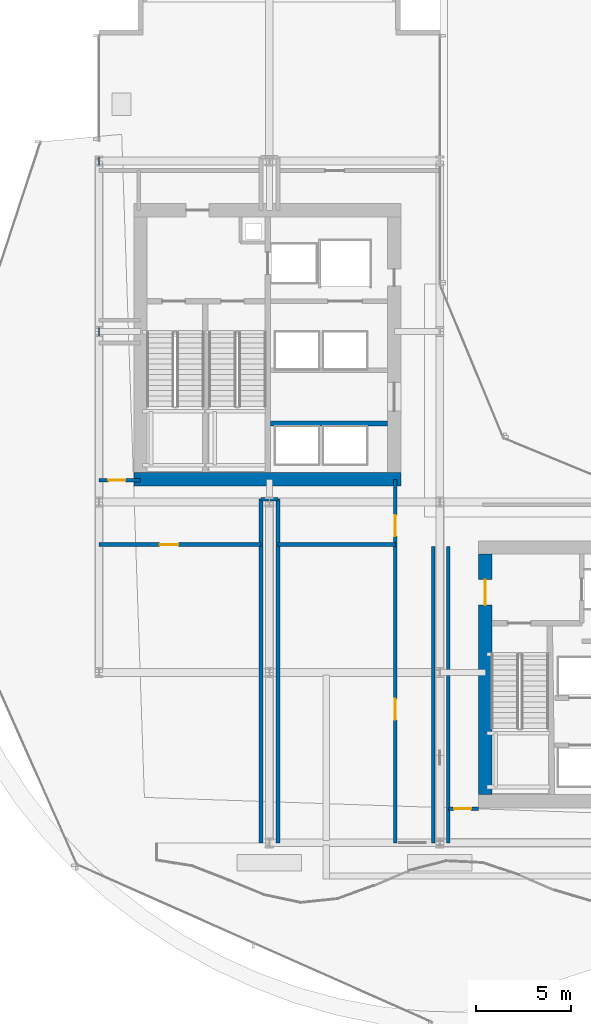
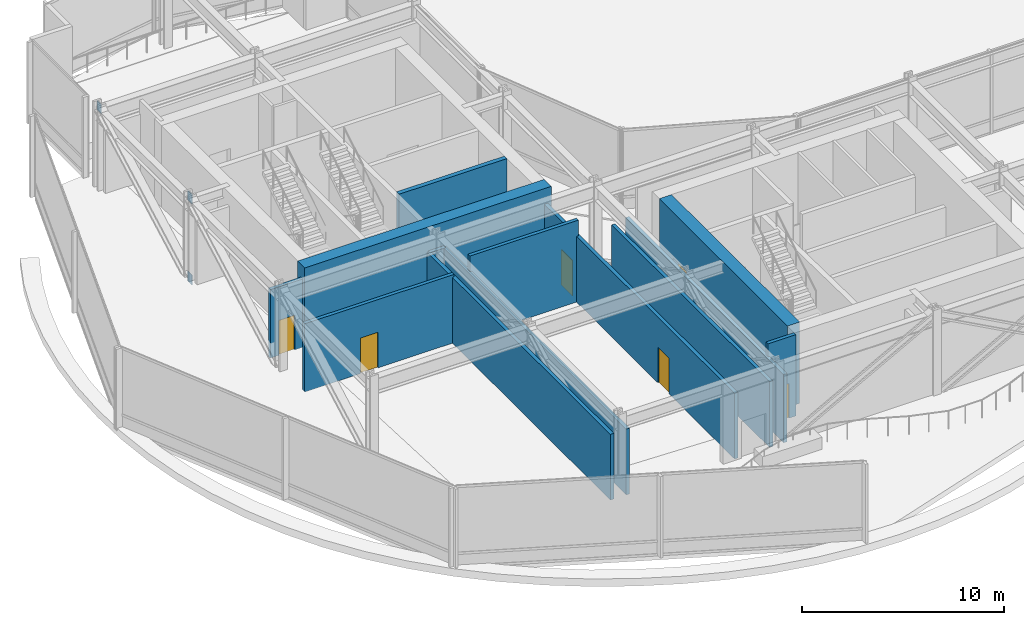
# One storey, part 28 of 37: 13 walls, 6 doors, 3 plates, 6 openings.
"""IFC4 building model written with IfcOpenShell, lengths in metres."""

from ifc_helpers import new_model, si_unit, direction, frame, frame_2d, origin, origin_2d, place, context, subcontext, project, spatial, rectangle, extrude, material, layer, layer_set, type_object, element, fill, save


model = new_model("IFC4")

# Units and contexts
model_context = context("Model", 3, precision=1e-05, world=origin(), true_north=direction((0.0, 1.0)))
body_context = subcontext(model_context, "Body", "Model", "MODEL_VIEW")
ifc_project = project(units=[si_unit("LENGTHUNIT", "METRE"), si_unit("AREAUNIT", "SQUARE_METRE"), si_unit("VOLUMEUNIT", "CUBIC_METRE"), si_unit("PLANEANGLEUNIT", "RADIAN"), si_unit("MASSUNIT", "GRAM", prefix="KILO")], contexts=[model_context])

# Site, building, storey
site_placement = place(None, origin())
site = spatial("IfcSite", under=ifc_project, at=site_placement, CompositionType="ELEMENT")
building_placement = place(site_placement, origin())
building = spatial("IfcBuilding", under=site, at=building_placement, Name="Solvaryn Broadcast Tower", CompositionType="ELEMENT")
storey_placement = place(building_placement, frame((0.0, 0.0, 30.800048828125)))
storey = spatial("IfcBuildingStorey", under=building, at=storey_placement, Name="L06", CompositionType="ELEMENT", Elevation=30.800048828125)

# Plates
ifc_material_1 = material(Name="Steel ASTM A572 Grade 50", Category="steel")
ifc_layer_1 = layer(ifc_material_1, 0.031982421875)
ifc_layer_set_1 = layer_set([ifc_layer_1], Name="PL-ENDCAP-32")
plate_type = type_object("IfcPlateType", Name="PL-ENDCAP-32", PredefinedType="USERDEFINED", material=ifc_layer_set_1)
for number, where, z_axis, x_axis, name in (
    (1, (9.0, 36.0, 4.60986328125), (0.0, 0.0, 1.0), (1.0, 0.0, 0.0), "L06 Transfer Belt Chord 11 End Plate B"),
    (2, (9.0, 36.0, -0.27001953125), (0.0, 0.0, 1.0), (1.0, 0.0, 0.0), "L06 Transfer Belt Chord 12 End Plate A"),
    (3, (9.0, 45.0, 4.60986328125), (0.0, 0.0, 1.0), (1.0, 0.0, 0.0), "L06 Transfer Belt Chord 12 End Plate B"),
):
    element("IfcPlate", number, at=place(storey_placement, frame(where, z_axis=z_axis, x_axis=x_axis)), inside=storey, type_object=plate_type, Name=name, ObjectType="FLANGE_PLATE", PredefinedType="USERDEFINED", context=body_context, shape_type="SweptSolid", body=[
        extrude(rectangle(XDim=0.031982421875, YDim=0.419921875, at=origin_2d()), origin(), (0.0, 0.0, 1.0), 0.580078125),
    ])

# Wall
ifc_material_2 = material(Name="Concrete f'c 70 MPa", Category="concrete")
ifc_layer_2 = layer(ifc_material_2, 0.699951171875)
ifc_layer_set_2 = layer_set([ifc_layer_2], Name="CW-SHEAR-700")
wall_type_1 = type_object("IfcWallType", Name="CW-SHEAR-700", PredefinedType="SHEAR", material=ifc_layer_set_2)
wall_1_placement = place(storey_placement, frame((10.85009765625, 28.199951171875, 0.0), z_axis=(0.0, 0.0, 1.0), x_axis=(1.0, 0.0, 0.0)))
element("IfcWall", 4, at=wall_1_placement, inside=storey, type_object=wall_type_1, Name="L06 West Core South Shear Wall", PredefinedType="SHEAR", context=body_context, shape_type="SweptSolid", body=[
    extrude(rectangle(XDim=14.099853515625, YDim=0.699951171875, at=frame_2d((7.0498046875, 0.0))), origin(), (0.0, 0.0, 1.0), 4.919921875),
])

# Wall, opening, door
wall_2_placement = place(storey_placement, frame((29.39990234375, 24.25, 0.0), z_axis=(0.0, 0.0, 1.0), x_axis=(0.0, -1.0, 0.0)))
wall_2 = element("IfcWall", 5, at=wall_2_placement, inside=storey, type_object=wall_type_1, Name="L06 East Core West Shear Wall", PredefinedType="SHEAR", context=body_context, shape_type="SweptSolid", body=[
    extrude(rectangle(XDim=12.699951171875, YDim=0.699951171875, at=frame_2d((6.35009765625, 0.0))), origin(), (0.0, 0.0, 1.0), 4.919921875),
])
opening_1_placement = place(wall_2_placement, frame((1.35009765625, 0.0, 0.0)))
opening_1 = element("IfcOpeningElement", 6, at=opening_1_placement, cuts=wall_2, Name="Opening FD90B", PredefinedType="OPENING", context=body_context, shape_type="SweptSolid", body=[
    extrude(rectangle(XDim=1.35009765625, YDim=2.14990234375, at=frame_2d((0.675048828125, 1.074951171875))), frame((0.0, 0.360107421875, 0.0), z_axis=(0.0, -1.0, 0.0), x_axis=(1.0, 0.0, 0.0)), (0.0, 0.0, 1.0), 0.719970703125),
])
ifc_material_3 = material(Name="Flush Acoustic Steel and Timber Door Assembly", Category="steel")
door_type_1 = type_object("IfcDoorType", Name="FD90-LOBBY-1350X2150", OperationType="NOTDEFINED", PredefinedType="DOOR", material=ifc_material_3)
door_1_placement = place(opening_1_placement, origin())
door_1 = element("IfcDoor", 7, at=door_1_placement, inside=storey, type_object=door_type_1, Name="L06 East FSAE Lobby Door", OperationType="SINGLE_SWING_RIGHT", OverallHeight=2.14990234375, OverallWidth=1.35009765625, PredefinedType="DOOR", context=body_context, shape_type="SweptSolid", body=[
    extrude(rectangle(XDim=1.35009765625, YDim=2.14990234375, at=frame_2d((0.675048828125, 1.074951171875))), frame((0.0, 0.02490234375, 0.0), z_axis=(0.0, -1.0, 0.0), x_axis=(1.0, 0.0, 0.0)), (0.0, 0.0, 1.0), 0.050048828125),
])
fill(opening_1, door_1)

# Wall, openings, doors
ifc_material_4 = material(Name="Gypsum Fire-Rated Shaftwall Assembly", Category="concrete")
ifc_layer_3 = layer(ifc_material_4, 0.199951171875)
ifc_layer_set_3 = layer_set([ifc_layer_3], Name="IW-RATED-200")
wall_type_2 = type_object("IfcWallType", Name="IW-RATED-200", PredefinedType="PARTITIONING", material=ifc_layer_set_3)
wall_3_placement = place(storey_placement, frame((24.64990234375, 9.0, 0.0), z_axis=(0.0, 0.0, 1.0), x_axis=(0.0, 1.0, 0.0)))
wall_3 = element("IfcWall", 8, at=wall_3_placement, inside=storey, type_object=wall_type_2, Name="L06 Interior Partition IW-L06-MW1", PredefinedType="PARTITIONING", context=body_context, shape_type="SweptSolid", body=[
    extrude(rectangle(XDim=19.199951171875, YDim=0.199951171875, at=frame_2d((9.60009765625, 0.0))), origin(), (0.0, 0.0, 1.0), 3.972900390625),
])
opening_2_placement = place(wall_3_placement, frame((6.5, 0.0, 0.0)))
opening_2 = element("IfcOpeningElement", 9, at=opening_2_placement, cuts=wall_3, Name="Opening FD90C", PredefinedType="OPENING", context=body_context, shape_type="SweptSolid", body=[
    extrude(rectangle(XDim=1.10009765625, YDim=2.14990234375, at=frame_2d((0.550048828125, 1.074951171875))), frame((0.0, 0.110107421875, 0.0), z_axis=(0.0, -1.0, 0.0), x_axis=(1.0, 0.0, 0.0)), (0.0, 0.0, 1.0), 0.219970703125),
])
opening_3_placement = place(wall_3_placement, frame((16.199951171875, 0.0, 0.0)))
opening_3 = element("IfcOpeningElement", 10, at=opening_3_placement, cuts=wall_3, Name="Opening FD90C", PredefinedType="OPENING", context=body_context, shape_type="SweptSolid", body=[
    extrude(rectangle(XDim=1.10009765625, YDim=2.14990234375, at=frame_2d((0.550048828125, 1.074951171875))), frame((0.0, 0.110107421875, 0.0), z_axis=(0.0, -1.0, 0.0), x_axis=(1.0, 0.0, 0.0)), (0.0, 0.0, 1.0), 0.219970703125),
])
ifc_material_5 = material(Name="Flush Acoustic Steel and Timber Door Assembly", Category="steel")
door_type_2 = type_object("IfcDoorType", Name="FD90-PLANT-1100X2150", OperationType="NOTDEFINED", PredefinedType="DOOR", material=ifc_material_5)
door_2_placement = place(opening_2_placement, origin())
door_2 = element("IfcDoor", 11, at=door_2_placement, inside=storey, type_object=door_type_2, Name="L06 Door DR-L06-MD1", OperationType="SINGLE_SWING_LEFT", OverallHeight=2.14990234375, OverallWidth=1.10009765625, PredefinedType="DOOR", context=body_context, shape_type="SweptSolid", body=[
    extrude(rectangle(XDim=1.10009765625, YDim=2.14990234375, at=frame_2d((0.550048828125, 1.074951171875))), frame((0.0, 0.02490234375, 0.0), z_axis=(0.0, -1.0, 0.0), x_axis=(1.0, 0.0, 0.0)), (0.0, 0.0, 1.0), 0.050048828125),
])
fill(opening_2, door_2)
door_3_placement = place(opening_3_placement, origin())
door_3 = element("IfcDoor", 12, at=door_3_placement, inside=storey, type_object=door_type_2, Name="L06 Door DR-L06-MD2", OperationType="SINGLE_SWING_LEFT", OverallHeight=2.14990234375, OverallWidth=1.10009765625, PredefinedType="DOOR", context=body_context, shape_type="SweptSolid", body=[
    extrude(rectangle(XDim=1.10009765625, YDim=2.14990234375, at=frame_2d((0.550048828125, 1.074951171875))), frame((0.0, 0.02490234375, 0.0), z_axis=(0.0, -1.0, 0.0), x_axis=(1.0, 0.0, 0.0)), (0.0, 0.0, 1.0), 0.050048828125),
])
fill(opening_3, door_3)

# Walls
for number, where, z_axis, x_axis, name in (
    (13, (17.550048828125, 9.0, 0.0), (0.0, 0.0, 1.0), (0.0, 1.0, 0.0), "L06 Interior Partition IW-L06-MW1A"),
    (14, (18.449951171875, 9.0, 0.0), (0.0, 0.0, 1.0), (0.0, 1.0, 0.0), "L06 Interior Partition IW-L06-MW1B"),
):
    element("IfcWall", number, at=place(storey_placement, frame(where, z_axis=z_axis, x_axis=x_axis)), inside=storey, type_object=wall_type_2, Name=name, PredefinedType="PARTITIONING", context=body_context, shape_type="SweptSolid", body=[
        extrude(rectangle(XDim=18.14990234375, YDim=0.199951171875, at=frame_2d((9.074951171875, 0.0))), origin(), (0.0, 0.0, 1.0), 3.972900390625),
    ])
wall_4_placement = place(storey_placement, frame((17.550048828125, 27.14990234375, 0.0), z_axis=(0.0, 0.0, 1.0), x_axis=(1.0, 0.0, 0.0)))
element("IfcWall", 15, at=wall_4_placement, inside=storey, type_object=wall_type_2, Name="L06 Interior Partition IW-L06-MW1N", PredefinedType="PARTITIONING", context=body_context, shape_type="SweptSolid", body=[
    extrude(rectangle(XDim=0.89990234375, YDim=0.199951171875, at=frame_2d((0.449951171875, 0.0))), origin(), (0.0, 0.0, 1.0), 3.972900390625),
])

# Wall, opening, door
wall_5_placement = place(storey_placement, frame((9.0, 24.75, 0.0), z_axis=(0.0, 0.0, 1.0), x_axis=(1.0, 0.0, 0.0)))
wall_5 = element("IfcWall", 16, at=wall_5_placement, inside=storey, type_object=wall_type_2, Name="L06 Interior Partition IW-L06-MW2A", PredefinedType="PARTITIONING", context=body_context, shape_type="SweptSolid", body=[
    extrude(rectangle(XDim=8.550048828125, YDim=0.199951171875, at=frame_2d((4.27490234375, 0.0))), origin(), (0.0, 0.0, 1.0), 4.126953125),
])
opening_4_placement = place(wall_5_placement, frame((3.199951171875, 0.0, 0.0)))
opening_4 = element("IfcOpeningElement", 17, at=opening_4_placement, cuts=wall_5, Name="Opening FD90D", PredefinedType="OPENING", context=body_context, shape_type="SweptSolid", body=[
    extrude(rectangle(XDim=1.0, YDim=2.14990234375, at=frame_2d((0.5, 1.074951171875))), frame((0.0, 0.110107421875, 0.0), z_axis=(0.0, -1.0, 0.0), x_axis=(1.0, 0.0, 0.0)), (0.0, 0.0, 1.0), 0.219970703125),
])
ifc_material_6 = material(Name="Flush Acoustic Steel and Timber Door Assembly", Category="steel")
door_type_3 = type_object("IfcDoorType", Name="FD90-FCC-1000X2150", OperationType="NOTDEFINED", PredefinedType="DOOR", material=ifc_material_6)
door_4_placement = place(opening_4_placement, origin())
door_4 = element("IfcDoor", 18, at=door_4_placement, inside=storey, type_object=door_type_3, Name="L06 Door DR-L06-MD1A", OperationType="SINGLE_SWING_RIGHT", OverallHeight=2.14990234375, OverallWidth=1.0, PredefinedType="DOOR", context=body_context, shape_type="SweptSolid", body=[
    extrude(rectangle(XDim=1.0, YDim=2.14990234375, at=frame_2d((0.5, 1.074951171875))), frame((0.0, 0.02490234375, 0.0), z_axis=(0.0, -1.0, 0.0), x_axis=(1.0, 0.0, 0.0)), (0.0, 0.0, 1.0), 0.050048828125),
])
fill(opening_4, door_4)

# Wall
wall_6_placement = place(storey_placement, frame((18.449951171875, 24.75, 0.0), z_axis=(0.0, 0.0, 1.0), x_axis=(1.0, 0.0, 0.0)))
element("IfcWall", 19, at=wall_6_placement, inside=storey, type_object=wall_type_2, Name="L06 Interior Partition IW-L06-MW2B", PredefinedType="PARTITIONING", context=body_context, shape_type="SweptSolid", body=[
    extrude(rectangle(XDim=6.199951171875, YDim=0.199951171875, at=frame_2d((3.10009765625, 0.0))), origin(), (0.0, 0.0, 1.0), 4.919921875),
])

# Wall, opening, door
wall_7_placement = place(storey_placement, frame((9.0, 28.14990234375, 0.0), z_axis=(0.0, 0.0, 1.0), x_axis=(1.0, 0.0, 0.0)))
wall_7 = element("IfcWall", 20, at=wall_7_placement, inside=storey, type_object=wall_type_2, Name="L06 Interior Partition IW-L06-MW3", PredefinedType="PARTITIONING", context=body_context, shape_type="SweptSolid", body=[
    extrude(rectangle(XDim=2.199951171875, YDim=0.199951171875, at=frame_2d((1.10009765625, 0.0))), origin(), (0.0, 0.0, 1.0), 4.126953125),
])
opening_5_placement = place(wall_7_placement, frame((0.5, 0.0, 0.0)))
opening_5 = element("IfcOpeningElement", 21, at=opening_5_placement, cuts=wall_7, Name="Opening FD60C", PredefinedType="OPENING", context=body_context, shape_type="SweptSolid", body=[
    extrude(rectangle(XDim=0.89990234375, YDim=2.10009765625, at=frame_2d((0.449951171875, 1.050048828125))), frame((0.0, 0.110107421875, 0.0), z_axis=(0.0, -1.0, 0.0), x_axis=(1.0, 0.0, 0.0)), (0.0, 0.0, 1.0), 0.219970703125),
])
ifc_material_7 = material(Name="Flush Acoustic Steel and Timber Door Assembly", Category="steel")
door_type_4 = type_object("IfcDoorType", Name="FD60-SERV-900X2100", OperationType="NOTDEFINED", PredefinedType="DOOR", material=ifc_material_7)
door_5_placement = place(opening_5_placement, origin())
door_5 = element("IfcDoor", 22, at=door_5_placement, inside=storey, type_object=door_type_4, Name="L06 Door DR-L06-MD2A", OperationType="SINGLE_SWING_RIGHT", OverallHeight=2.10009765625, OverallWidth=0.89990234375, PredefinedType="DOOR", context=body_context, shape_type="SweptSolid", body=[
    extrude(rectangle(XDim=0.89990234375, YDim=2.10009765625, at=frame_2d((0.449951171875, 1.050048828125))), frame((0.0, 0.02490234375, 0.0), z_axis=(0.0, -1.0, 0.0), x_axis=(1.0, 0.0, 0.0)), (0.0, 0.0, 1.0), 0.050048828125),
])
fill(opening_5, door_5)

wall_8_placement = place(storey_placement, frame((27.449951171875, 10.800048828125, 0.0), z_axis=(0.0, 0.0, 1.0), x_axis=(1.0, 0.0, 0.0)))
wall_8 = element("IfcWall", 23, at=wall_8_placement, inside=storey, type_object=wall_type_2, Name="L06 Interior Partition IW-L06-MW4A", PredefinedType="PARTITIONING", context=body_context, shape_type="SweptSolid", body=[
    extrude(rectangle(XDim=1.60009765625, YDim=0.199951171875, at=frame_2d((0.800048828125, 0.0))), origin(), (0.0, 0.0, 1.0), 4.919921875),
])
opening_6_placement = place(wall_8_placement, frame((0.300048828125, 0.0, 0.0)))
opening_6 = element("IfcOpeningElement", 24, at=opening_6_placement, cuts=wall_8, Name="Opening FD60C", PredefinedType="OPENING", context=body_context, shape_type="SweptSolid", body=[
    extrude(rectangle(XDim=0.89990234375, YDim=2.10009765625, at=frame_2d((0.449951171875, 1.050048828125))), frame((0.0, 0.110107421875, 0.0), z_axis=(0.0, -1.0, 0.0), x_axis=(1.0, 0.0, 0.0)), (0.0, 0.0, 1.0), 0.219970703125),
])
door_6_placement = place(opening_6_placement, origin())
door_6 = element("IfcDoor", 25, at=door_6_placement, inside=storey, type_object=door_type_4, Name="L06 Door DR-L06-MD3A", OperationType="SINGLE_SWING_LEFT", OverallHeight=2.10009765625, OverallWidth=0.89990234375, PredefinedType="DOOR", context=body_context, shape_type="SweptSolid", body=[
    extrude(rectangle(XDim=0.89990234375, YDim=2.10009765625, at=frame_2d((0.449951171875, 1.050048828125))), frame((0.0, 0.02490234375, 0.0), z_axis=(0.0, -1.0, 0.0), x_axis=(1.0, 0.0, 0.0)), (0.0, 0.0, 1.0), 0.050048828125),
])
fill(opening_6, door_6)

# Walls
wall_9_placement = place(storey_placement, frame((26.64990234375, 9.0, 0.0), z_axis=(0.0, 0.0, 1.0), x_axis=(0.0, 1.0, 0.0)))
element("IfcWall", 26, at=wall_9_placement, inside=storey, type_object=wall_type_2, Name="L06 Interior Partition IW-L06-MW5W", PredefinedType="PARTITIONING", context=body_context, shape_type="SweptSolid", body=[
    extrude(rectangle(XDim=15.64990234375, YDim=0.199951171875, at=frame_2d((7.824951171875, 0.0))), origin(), (0.0, 0.0, 1.0), 3.972900390625),
])
wall_10_placement = place(storey_placement, frame((27.449951171875, 9.0, 0.0), z_axis=(0.0, 0.0, 1.0), x_axis=(0.0, 1.0, 0.0)))
element("IfcWall", 27, at=wall_10_placement, inside=storey, type_object=wall_type_2, Name="L06 Interior Partition IW-L06-MW5E", PredefinedType="PARTITIONING", context=body_context, shape_type="SweptSolid", body=[
    extrude(rectangle(XDim=15.64990234375, YDim=0.199951171875, at=frame_2d((7.824951171875, 0.0))), origin(), (0.0, 0.0, 1.0), 4.126953125),
])
ifc_material_8 = material(Name="Concrete f'c 60 MPa", Category="concrete")
ifc_layer_4 = layer(ifc_material_8, 0.25)
ifc_layer_set_4 = layer_set([ifc_layer_4], Name="SW-SHAFT-250")
wall_type_3 = type_object("IfcWallType", Name="SW-SHAFT-250", PredefinedType="PARTITIONING", material=ifc_layer_set_4)
wall_11_placement = place(storey_placement, frame((18.070068359375, 31.14990234375, 0.0), z_axis=(0.0, 0.0, 1.0), x_axis=(1.0, 0.0, 0.0)))
element("IfcWall", 28, at=wall_11_placement, inside=storey, type_object=wall_type_3, Name="L06 High-Rise Lift Bank South Wall", PredefinedType="PARTITIONING", context=body_context, shape_type="SweptSolid", body=[
    extrude(rectangle(XDim=6.179931640625, YDim=0.25, at=frame_2d((3.08984375, 0.0))), origin(), (0.0, 0.0, 1.0), 4.919921875),
])

save(model, "model.ifc")
